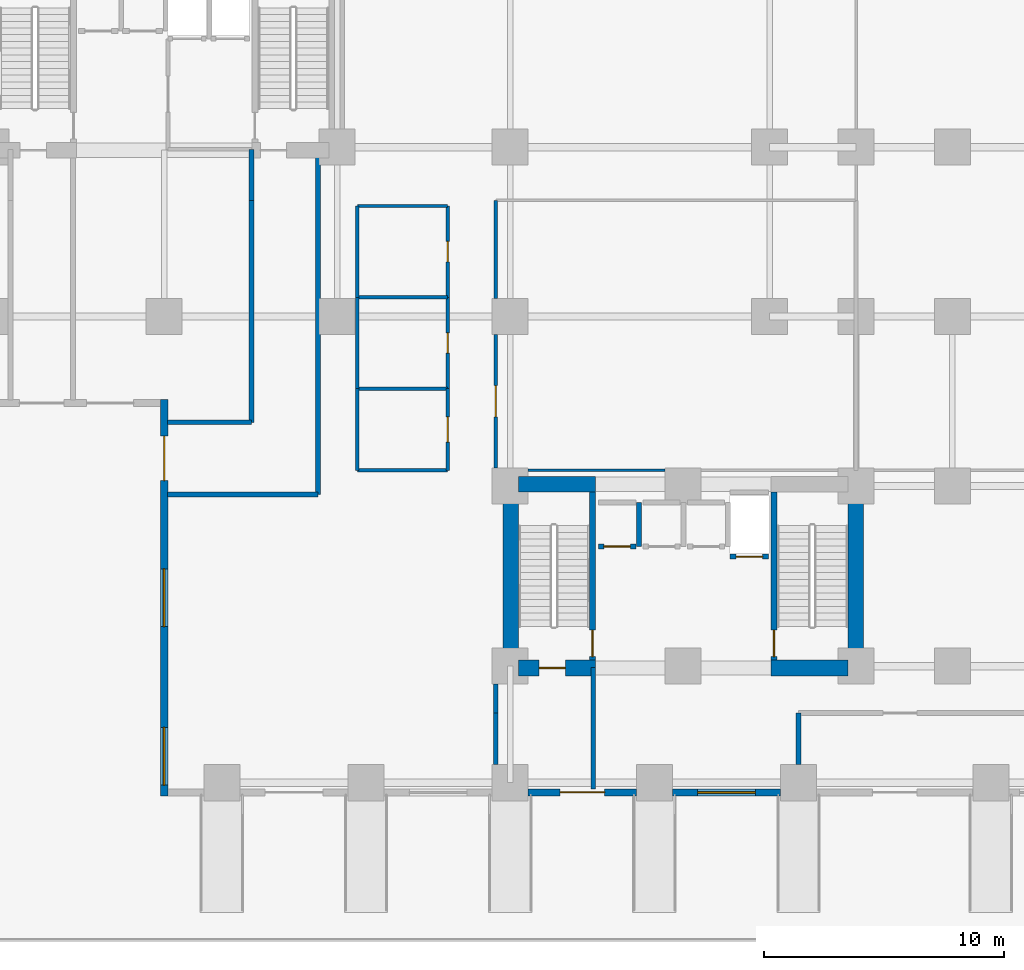
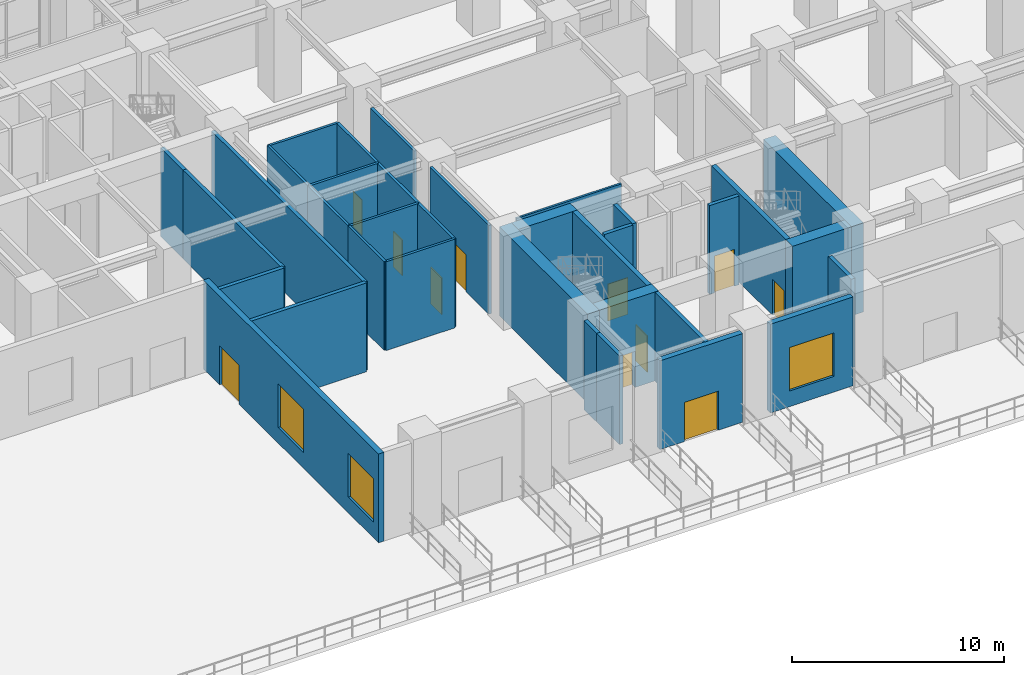
# One storey, part 14 of 22: 35 walls, 11 doors, 3 windows, 14 openings.
"""IFC4 building model written with IfcOpenShell, lengths in metres."""

from ifc_helpers import new_model, si_unit, direction, frame, frame_2d, origin, place, context, subcontext, project, spatial, rectangle, extrude, material, layer, layer_set, type_object, element, fill, save


model = new_model("IFC4")

# Units and contexts
model_context = context("Model", 3, precision=1e-05, world=origin(), true_north=direction((0.0, 1.0)))
body_context = subcontext(model_context, "Body", "Model", "MODEL_VIEW")
ifc_project = project(units=[si_unit("LENGTHUNIT", "METRE"), si_unit("AREAUNIT", "SQUARE_METRE"), si_unit("VOLUMEUNIT", "CUBIC_METRE"), si_unit("PLANEANGLEUNIT", "RADIAN"), si_unit("MASSUNIT", "GRAM", prefix="KILO")], contexts=[model_context])

# Site, building, storey
site_placement = place(None, origin())
site = spatial("IfcSite", under=ifc_project, at=site_placement, CompositionType="ELEMENT")
building_placement = place(site_placement, origin())
building = spatial("IfcBuilding", under=site, at=building_placement, Name="Kaliganga Portal Commons", CompositionType="ELEMENT")
storey_placement = place(building_placement, origin())
storey = spatial("IfcBuildingStorey", under=building, at=storey_placement, Name="L00", CompositionType="ELEMENT", Elevation=0.0)

# Walls
ifc_material_1 = material(Name="Concrete C70/85", Category="concrete")
ifc_layer_1 = layer(ifc_material_1, 0.64990234375)
ifc_layer_set_1 = layer_set([ifc_layer_1], Name="Concrete C70/85")
wall_type_1 = type_object("IfcWallType", Name="WL-CORE-650", PredefinedType="SHEAR", material=ifc_layer_set_1)
for number, where, z_axis, x_axis, name in (
    (1, (36.02490234375, 6.64990234375, 0.0), (0.0, 0.0, 1.0), (0.0, 1.0, 0.0), "Core B West Shear Wall L00"),
    (2, (50.375, 6.64990234375, 0.0), (0.0, 0.0, 1.0), (0.0, 1.0, 0.0), "Core B East Shear Wall L00"),
):
    element("IfcWall", number, at=place(storey_placement, frame(where, z_axis=z_axis, x_axis=x_axis)), inside=storey, type_object=wall_type_1, Name=name, PredefinedType="SHEAR", context=body_context, shape_type="SweptSolid", body=[
        extrude(rectangle(XDim=8.300048828125, YDim=0.64990234375, at=frame_2d((4.14990234375, 0.0))), origin(), (0.0, 0.0, 1.0), 5.1201171875),
    ])

# Wall, opening, door
wall_1_placement = place(storey_placement, frame((36.35009765625, 6.97509765625, 0.0), z_axis=(0.0, 0.0, 1.0), x_axis=(1.0, 0.0, 0.0)))
wall_1 = element("IfcWall", 3, at=wall_1_placement, inside=storey, type_object=wall_type_1, Name="Core B S-West Shear Wall L00", PredefinedType="SHEAR", context=body_context, shape_type="SweptSolid", body=[
    extrude(rectangle(XDim=3.199951171875, YDim=0.64990234375, at=frame_2d((1.60009765625, 0.0))), origin(), (0.0, 0.0, 1.0), 5.1201171875),
])
opening_1_placement = place(wall_1_placement, frame((0.85009765625, 0.0, 0.0)))
opening_1 = element("IfcOpeningElement", 4, at=opening_1_placement, cuts=wall_1, Name="Opening SD-01", PredefinedType="OPENING", context=body_context, shape_type="SweptSolid", body=[
    extrude(rectangle(XDim=1.10009765625, YDim=2.080078125, at=frame_2d((0.550048828125, 1.0400390625))), frame((0.0, 0.3349609375, 0.0), z_axis=(0.0, -1.0, 0.0), x_axis=(1.0, 0.0, 0.0)), (0.0, 0.0, 1.0), 0.669921875),
])
ifc_material_2 = material(Name="Galvanized Steel Fire Door Leaf and Frame", Category="steel")
door_type_1 = type_object("IfcDoorType", Name="DR-STAIR-1100", OperationType="NOTDEFINED", PredefinedType="DOOR", material=ifc_material_2)
door_1_placement = place(opening_1_placement, origin())
door_1 = element("IfcDoor", 5, at=door_1_placement, inside=storey, type_object=door_type_1, Name="Protected Stair ST-B1 Exit Passageway Fire Door L00", OperationType="SINGLE_SWING_LEFT", OverallHeight=2.080078125, OverallWidth=1.10009765625, PredefinedType="DOOR", context=body_context, shape_type="SweptSolid", body=[
    extrude(rectangle(XDim=1.10009765625, YDim=2.080078125, at=frame_2d((0.550048828125, 1.0400390625))), frame((0.0, 0.02490234375, 0.0), z_axis=(0.0, -1.0, 0.0), x_axis=(1.0, 0.0, 0.0)), (0.0, 0.0, 1.0), 0.050048828125),
])
fill(opening_1, door_1)

# Walls
for number, where, z_axis, x_axis, name in (
    (6, (46.85009765625, 6.97509765625, 0.0), (0.0, 0.0, 1.0), (1.0, 0.0, 0.0), "Core B S-East Shear Wall L00"),
    (7, (36.35009765625, 14.625, 0.0), (0.0, 0.0, 1.0), (1.0, 0.0, 0.0), "Core B N-West Shear Wall L00"),
):
    element("IfcWall", number, at=place(storey_placement, frame(where, z_axis=z_axis, x_axis=x_axis)), inside=storey, type_object=wall_type_1, Name=name, PredefinedType="SHEAR", context=body_context, shape_type="SweptSolid", body=[
        extrude(rectangle(XDim=3.199951171875, YDim=0.64990234375, at=frame_2d((1.60009765625, 0.0))), origin(), (0.0, 0.0, 1.0), 5.1201171875),
    ])

# Wall, opening, door
ifc_material_3 = material(Name="Precast concrete C40/50", Category="concrete")
ifc_layer_2 = layer(ifc_material_3, 0.300048828125)
ifc_layer_set_2 = layer_set([ifc_layer_2], Name="Precast concrete C40/50")
wall_type_2 = type_object("IfcWallType", Name="WL-EXT-POD-300", PredefinedType="STANDARD", material=ifc_layer_set_2)
wall_2_placement = place(storey_placement, frame((41.2490234375, 1.800048828125, 0.0), z_axis=(0.0, 0.0, 1.0), x_axis=(-1.0, 0.0, 0.0)))
wall_2 = element("IfcWall", 8, at=wall_2_placement, inside=storey, type_object=wall_type_2, Name="Exterior Envelope Wall L00 P1-E00-S4", PredefinedType="STANDARD", context=body_context, shape_type="SweptSolid", body=[
    extrude(rectangle(XDim=4.498046875, YDim=0.300048828125, at=frame_2d((2.2490234375, 0.0))), origin(), (0.0, 0.0, 1.0), 5.10009765625),
])
opening_2_placement = place(wall_2_placement, frame((1.323974609375, 0.0, 0.0)))
opening_2 = element("IfcOpeningElement", 9, at=opening_2_placement, cuts=wall_2, Name="Opening XD-01", PredefinedType="OPENING", context=body_context, shape_type="SweptSolid", body=[
    extrude(rectangle(XDim=1.85009765625, YDim=2.25, at=frame_2d((0.925048828125, 1.125))), frame((0.0, 0.16015625, 0.0), z_axis=(0.0, -1.0, 0.0), x_axis=(1.0, 0.0, 0.0)), (0.0, 0.0, 1.0), 0.320068359375),
])
ifc_material_4 = material(Name="Anodized Aluminium and Laminated Safety Glass", Category="aluminium")
door_type_2 = type_object("IfcDoorType", Name="DR-EXIT-1850", OperationType="DOUBLE_DOOR_SINGLE_SWING", PredefinedType="DOOR", material=ifc_material_4)
door_2_placement = place(opening_2_placement, origin())
door_2 = element("IfcDoor", 10, at=door_2_placement, inside=storey, type_object=door_type_2, Name="South Canal Exit Discharge Door XD-B", OperationType="DOUBLE_DOOR_SINGLE_SWING", OverallHeight=2.25, OverallWidth=1.85009765625, PredefinedType="DOOR", context=body_context, shape_type="SweptSolid", body=[
    extrude(rectangle(XDim=1.85009765625, YDim=2.25, at=frame_2d((0.925048828125, 1.125))), frame((0.0, 0.02490234375, 0.0), z_axis=(0.0, -1.0, 0.0), x_axis=(1.0, 0.0, 0.0)), (0.0, 0.0, 1.0), 0.050048828125),
])
fill(opening_2, door_2)

# Wall, opening, window
wall_3_placement = place(storey_placement, frame((47.2490234375, 1.800048828125, 0.0), z_axis=(0.0, 0.0, 1.0), x_axis=(-1.0, 0.0, 0.0)))
wall_3 = element("IfcWall", 11, at=wall_3_placement, inside=storey, type_object=wall_type_2, Name="Exterior Envelope Wall L00 P1-E00-S5", PredefinedType="STANDARD", context=body_context, shape_type="SweptSolid", body=[
    extrude(rectangle(XDim=4.498046875, YDim=0.300048828125, at=frame_2d((2.2490234375, 0.0))), origin(), (0.0, 0.0, 1.0), 5.10009765625),
])
opening_3_placement = place(wall_3_placement, frame((1.049072265625, 0.0, 0.89990234375)))
opening_3 = element("IfcOpeningElement", 12, at=opening_3_placement, cuts=wall_3, Name="Opening W-05", PredefinedType="OPENING", context=body_context, shape_type="SweptSolid", body=[
    extrude(rectangle(XDim=2.39990234375, YDim=2.5, at=frame_2d((1.199951171875, 1.25))), frame((0.0, 0.16015625, 0.0), z_axis=(0.0, -1.0, 0.0), x_axis=(1.0, 0.0, 0.0)), (0.0, 0.0, 1.0), 0.320068359375),
])
ifc_material_5 = material(Name="Thermally Broken Aluminium and Low-E Double Glazing", Category="aluminium")
window_type = type_object("IfcWindowType", Name="WIN-POD-2400", PartitioningType="TRIPLE_PANEL_VERTICAL", PredefinedType="WINDOW", material=ifc_material_5)
window_1_placement = place(opening_3_placement, origin())
window_1 = element("IfcWindow", 13, at=window_1_placement, inside=storey, type_object=window_type, Name="Facade Window L00-P1E00S5-00", OverallHeight=2.5, OverallWidth=2.39990234375, PartitioningType="SINGLE_PANEL", PredefinedType="WINDOW", context=body_context, shape_type="SweptSolid", body=[
    extrude(rectangle(XDim=2.39990234375, YDim=2.5, at=frame_2d((1.199951171875, 1.25))), frame((0.0, 0.030029296875, 0.0), z_axis=(0.0, -1.0, 0.0), x_axis=(1.0, 0.0, 0.0)), (0.0, 0.0, 1.0), 0.06005859375),
])
fill(opening_3, window_1)

# Wall, openings, door, windows
wall_4_placement = place(storey_placement, frame((21.60009765625, 1.64990234375, 0.0), z_axis=(0.0, 0.0, 1.0), x_axis=(0.0, 1.0, 0.0)))
wall_4 = element("IfcWall", 14, at=wall_4_placement, inside=storey, type_object=wall_type_2, Name="Exterior Envelope Wall L00 P1-E05-S1", PredefinedType="STANDARD", context=body_context, shape_type="SweptSolid", body=[
    extrude(rectangle(XDim=16.5, YDim=0.300048828125, at=frame_2d((8.25, 0.0))), origin(), (0.0, 0.0, 1.0), 5.10009765625),
])
opening_4_placement = place(wall_4_placement, frame((13.125, 0.0, 0.0)))
opening_4 = element("IfcOpeningElement", 15, at=opening_4_placement, cuts=wall_4, Name="Opening XD-01", PredefinedType="OPENING", context=body_context, shape_type="SweptSolid", body=[
    extrude(rectangle(XDim=1.85009765625, YDim=2.25, at=frame_2d((0.925048828125, 1.125))), frame((0.0, 0.16015625, 0.0), z_axis=(0.0, -1.0, 0.0), x_axis=(1.0, 0.0, 0.0)), (0.0, 0.0, 1.0), 0.320068359375),
])
opening_5_placement = place(wall_4_placement, frame((0.449951171875, 0.0, 0.89990234375)))
opening_5 = element("IfcOpeningElement", 16, at=opening_5_placement, cuts=wall_4, Name="Opening W-05", PredefinedType="OPENING", context=body_context, shape_type="SweptSolid", body=[
    extrude(rectangle(XDim=2.39990234375, YDim=2.5, at=frame_2d((1.199951171875, 1.25))), frame((0.0, 0.16015625, 0.0), z_axis=(0.0, -1.0, 0.0), x_axis=(1.0, 0.0, 0.0)), (0.0, 0.0, 1.0), 0.320068359375),
])
opening_6_placement = place(wall_4_placement, frame((7.050048828125, 0.0, 0.89990234375)))
opening_6 = element("IfcOpeningElement", 17, at=opening_6_placement, cuts=wall_4, Name="Opening W-05", PredefinedType="OPENING", context=body_context, shape_type="SweptSolid", body=[
    extrude(rectangle(XDim=2.39990234375, YDim=2.5, at=frame_2d((1.199951171875, 1.25))), frame((0.0, 0.16015625, 0.0), z_axis=(0.0, -1.0, 0.0), x_axis=(1.0, 0.0, 0.0)), (0.0, 0.0, 1.0), 0.320068359375),
])
door_3_placement = place(opening_4_placement, origin())
door_3 = element("IfcDoor", 18, at=door_3_placement, inside=storey, type_object=door_type_2, Name="Final Exit Discharge Door XD-A2", OperationType="DOUBLE_DOOR_SINGLE_SWING", OverallHeight=2.25, OverallWidth=1.85009765625, PredefinedType="DOOR", context=body_context, shape_type="SweptSolid", body=[
    extrude(rectangle(XDim=1.85009765625, YDim=2.25, at=frame_2d((0.925048828125, 1.125))), frame((0.0, 0.02490234375, 0.0), z_axis=(0.0, -1.0, 0.0), x_axis=(1.0, 0.0, 0.0)), (0.0, 0.0, 1.0), 0.050048828125),
])
fill(opening_4, door_3)
window_2_placement = place(opening_5_placement, origin())
window_2 = element("IfcWindow", 19, at=window_2_placement, inside=storey, type_object=window_type, Name="Facade Window L00-P1E05S1-00", OverallHeight=2.5, OverallWidth=2.39990234375, PartitioningType="SINGLE_PANEL", PredefinedType="WINDOW", context=body_context, shape_type="SweptSolid", body=[
    extrude(rectangle(XDim=2.39990234375, YDim=2.5, at=frame_2d((1.199951171875, 1.25))), frame((0.0, 0.030029296875, 0.0), z_axis=(0.0, -1.0, 0.0), x_axis=(1.0, 0.0, 0.0)), (0.0, 0.0, 1.0), 0.06005859375),
])
fill(opening_5, window_2)
window_3_placement = place(opening_6_placement, origin())
window_3 = element("IfcWindow", 20, at=window_3_placement, inside=storey, type_object=window_type, Name="Facade Window L00-P1E05S1-02", OverallHeight=2.5, OverallWidth=2.39990234375, PartitioningType="SINGLE_PANEL", PredefinedType="WINDOW", context=body_context, shape_type="SweptSolid", body=[
    extrude(rectangle(XDim=2.39990234375, YDim=2.5, at=frame_2d((1.199951171875, 1.25))), frame((0.0, 0.030029296875, 0.0), z_axis=(0.0, -1.0, 0.0), x_axis=(1.0, 0.0, 0.0)), (0.0, 0.0, 1.0), 0.06005859375),
])
fill(opening_6, window_3)

# Wall, opening, door
ifc_material_6 = material(Name="Fire-Rated Gypsum Board on Steel Stud", Category="steel")
ifc_layer_3 = layer(ifc_material_6, 0.14990234375)
ifc_layer_set_3 = layer_set([ifc_layer_3], Name="Fire-Rated Gypsum Board on Steel Stud")
wall_type_3 = type_object("IfcWallType", Name="WL-PART-CORR-150", PredefinedType="PARTITIONING", material=ifc_layer_set_3)
wall_5_placement = place(storey_placement, frame((35.39990234375, 15.300048828125, 0.0), z_axis=(0.0, 0.0, 1.0), x_axis=(0.0, 1.0, 0.0)))
wall_5 = element("IfcWall", 21, at=wall_5_placement, inside=storey, type_object=wall_type_3, Name="Interior Partition L00-030", PredefinedType="PARTITIONING", context=body_context, shape_type="SweptSolid", body=[
    extrude(rectangle(XDim=5.550048828125, YDim=0.14990234375, at=frame_2d((2.77490234375, 0.0))), origin(), (0.0, 0.0, 1.0), 5.10009765625),
])
opening_7_placement = place(wall_5_placement, frame((2.125, 0.0, 0.0)))
opening_7 = element("IfcOpeningElement", 22, at=opening_7_placement, cuts=wall_5, Name="Opening RD-03", PredefinedType="OPENING", context=body_context, shape_type="SweptSolid", body=[
    extrude(rectangle(XDim=1.300048828125, YDim=2.1201171875, at=frame_2d((0.64990234375, 1.06005859375))), frame((0.0, 0.0849609375, 0.0), z_axis=(0.0, -1.0, 0.0), x_axis=(1.0, 0.0, 0.0)), (0.0, 0.0, 1.0), 0.169921875),
])
ifc_material_7 = material(Name="Glazed Timber Seminar Vision Door", Category="wood")
door_type_3 = type_object("IfcDoorType", Name="DR-STUDY-1300", OperationType="DOUBLE_DOOR_SINGLE_SWING", PredefinedType="DOOR", material=ifc_material_7)
door_4_placement = place(opening_7_placement, origin())
door_4 = element("IfcDoor", 23, at=door_4_placement, inside=storey, type_object=door_type_3, Name="Interior Door L00-MAIL", OperationType="DOUBLE_DOOR_SINGLE_SWING", OverallHeight=2.1201171875, OverallWidth=1.300048828125, PredefinedType="DOOR", context=body_context, shape_type="SweptSolid", body=[
    extrude(rectangle(XDim=1.300048828125, YDim=2.1201171875, at=frame_2d((0.64990234375, 1.06005859375))), frame((0.0, 0.02490234375, 0.0), z_axis=(0.0, -1.0, 0.0), x_axis=(1.0, 0.0, 0.0)), (0.0, 0.0, 1.0), 0.050048828125),
])
fill(opening_7, door_4)

# Wall
wall_6_placement = place(storey_placement, frame((35.39990234375, 22.35009765625, 0.0), z_axis=(0.0, 0.0, 1.0), x_axis=(0.0, 1.0, 0.0)))
element("IfcWall", 24, at=wall_6_placement, inside=storey, type_object=wall_type_3, Name="Interior Partition L00-031", PredefinedType="PARTITIONING", context=body_context, shape_type="SweptSolid", body=[
    extrude(rectangle(XDim=4.08984375, YDim=0.14990234375, at=frame_2d((2.044921875, 0.0))), origin(), (0.0, 0.0, 1.0), 5.10009765625),
])

# Wall, opening, door
wall_7_placement = place(storey_placement, frame((33.39990234375, 22.39990234375, 0.0), z_axis=(0.0, 0.0, 1.0), x_axis=(0.0, 1.0, 0.0)))
wall_7 = element("IfcWall", 25, at=wall_7_placement, inside=storey, type_object=wall_type_3, Name="Interior Partition L00-033", PredefinedType="PARTITIONING", context=body_context, shape_type="SweptSolid", body=[
    extrude(rectangle(XDim=3.800048828125, YDim=0.14990234375, at=frame_2d((1.89990234375, 0.0))), origin(), (0.0, 0.0, 1.0), 5.10009765625),
])
opening_8_placement = place(wall_7_placement, frame((1.47509765625, 0.0, 0.0)))
opening_8 = element("IfcOpeningElement", 26, at=opening_8_placement, cuts=wall_7, Name="Opening WD-01", PredefinedType="OPENING", context=body_context, shape_type="SweptSolid", body=[
    extrude(rectangle(XDim=0.85009765625, YDim=2.0400390625, at=frame_2d((0.425048828125, 1.02001953125))), frame((0.0, 0.0849609375, 0.0), z_axis=(0.0, -1.0, 0.0), x_axis=(1.0, 0.0, 0.0)), (0.0, 0.0, 1.0), 0.169921875),
])
ifc_material_8 = material(Name="Moisture-Resistant Laminate Timber Door", Category="wood")
door_type_4 = type_object("IfcDoorType", Name="DR-WET-850", OperationType="NOTDEFINED", PredefinedType="DOOR", material=ifc_material_8)
door_5_placement = place(opening_8_placement, origin())
door_5 = element("IfcDoor", 27, at=door_5_placement, inside=storey, type_object=door_type_4, Name="Interior Door L00-WC_M", OperationType="SINGLE_SWING_LEFT", OverallHeight=2.0400390625, OverallWidth=0.85009765625, PredefinedType="DOOR", context=body_context, shape_type="SweptSolid", body=[
    extrude(rectangle(XDim=0.85009765625, YDim=2.0400390625, at=frame_2d((0.425048828125, 1.02001953125))), frame((0.0, 0.02490234375, 0.0), z_axis=(0.0, -1.0, 0.0), x_axis=(1.0, 0.0, 0.0)), (0.0, 0.0, 1.0), 0.050048828125),
])
fill(opening_8, door_5)

wall_8_placement = place(storey_placement, frame((33.39990234375, 18.60009765625, 0.0), z_axis=(0.0, 0.0, 1.0), x_axis=(0.0, 1.0, 0.0)))
wall_8 = element("IfcWall", 28, at=wall_8_placement, inside=storey, type_object=wall_type_3, Name="Interior Partition L00-034", PredefinedType="PARTITIONING", context=body_context, shape_type="SweptSolid", body=[
    extrude(rectangle(XDim=3.7998046875, YDim=0.14990234375, at=frame_2d((1.89990234375, 0.0))), origin(), (0.0, 0.0, 1.0), 5.10009765625),
])
opening_9_placement = place(wall_8_placement, frame((1.47509765625, 0.0, 0.0)))
opening_9 = element("IfcOpeningElement", 29, at=opening_9_placement, cuts=wall_8, Name="Opening WD-01", PredefinedType="OPENING", context=body_context, shape_type="SweptSolid", body=[
    extrude(rectangle(XDim=0.85009765625, YDim=2.0400390625, at=frame_2d((0.425048828125, 1.02001953125))), frame((0.0, 0.0849609375, 0.0), z_axis=(0.0, -1.0, 0.0), x_axis=(1.0, 0.0, 0.0)), (0.0, 0.0, 1.0), 0.169921875),
])
door_6_placement = place(opening_9_placement, origin())
door_6 = element("IfcDoor", 30, at=door_6_placement, inside=storey, type_object=door_type_4, Name="Interior Door L00-WC_F", OperationType="SINGLE_SWING_RIGHT", OverallHeight=2.0400390625, OverallWidth=0.85009765625, PredefinedType="DOOR", context=body_context, shape_type="SweptSolid", body=[
    extrude(rectangle(XDim=0.85009765625, YDim=2.0400390625, at=frame_2d((0.425048828125, 1.02001953125))), frame((0.0, 0.02490234375, 0.0), z_axis=(0.0, -1.0, 0.0), x_axis=(1.0, 0.0, 0.0)), (0.0, 0.0, 1.0), 0.050048828125),
])
fill(opening_9, door_6)

wall_9_placement = place(storey_placement, frame((33.39990234375, 15.199951171875, 0.0), z_axis=(0.0, 0.0, 1.0), x_axis=(0.0, 1.0, 0.0)))
wall_9 = element("IfcWall", 31, at=wall_9_placement, inside=storey, type_object=wall_type_3, Name="Interior Partition L00-035", PredefinedType="PARTITIONING", context=body_context, shape_type="SweptSolid", body=[
    extrude(rectangle(XDim=3.400146484375, YDim=0.14990234375, at=frame_2d((1.7001953125, 0.0))), origin(), (0.0, 0.0, 1.0), 5.10009765625),
])
opening_10_placement = place(wall_9_placement, frame((1.175048828125, 0.0, 0.0)))
opening_10 = element("IfcOpeningElement", 32, at=opening_10_placement, cuts=wall_9, Name="Opening UD-02", PredefinedType="OPENING", context=body_context, shape_type="SweptSolid", body=[
    extrude(rectangle(XDim=1.050048828125, YDim=2.1201171875, at=frame_2d((0.52490234375, 1.06005859375))), frame((0.0, 0.0849609375, 0.0), z_axis=(0.0, -1.0, 0.0), x_axis=(1.0, 0.0, 0.0)), (0.0, 0.0, 1.0), 0.169921875),
])
ifc_material_9 = material(Name="Accessible Wide-Leaf Acoustic Fire Door", Category="wood")
door_type_5 = type_object("IfcDoorType", Name="DR-ACC-1050", OperationType="NOTDEFINED", PredefinedType="DOOR", material=ifc_material_9)
door_7_placement = place(opening_10_placement, origin())
door_7 = element("IfcDoor", 33, at=door_7_placement, inside=storey, type_object=door_type_5, Name="Interior Door L00-WC_ACC", OperationType="SINGLE_SWING_LEFT", OverallHeight=2.1201171875, OverallWidth=1.050048828125, PredefinedType="DOOR", context=body_context, shape_type="SweptSolid", body=[
    extrude(rectangle(XDim=1.050048828125, YDim=2.1201171875, at=frame_2d((0.52490234375, 1.06005859375))), frame((0.0, 0.02490234375, 0.0), z_axis=(0.0, -1.0, 0.0), x_axis=(1.0, 0.0, 0.0)), (0.0, 0.0, 1.0), 0.050048828125),
])
fill(opening_10, door_7)

# Walls
ifc_material_10 = material(Name="Lightweight blockwork masonry", Category="masonry")
ifc_layer_4 = layer(ifc_material_10, 0.215087890625)
ifc_layer_set_4 = layer_set([ifc_layer_4], Name="Lightweight blockwork masonry")
wall_type_4 = type_object("IfcWallType", Name="WL-PART-PLANT-215", PredefinedType="PARTITIONING", material=ifc_layer_set_4)
wall_10_placement = place(storey_placement, frame((48.0, 2.949951171875, 0.0), z_axis=(0.0, 0.0, 1.0), x_axis=(0.0, 1.0, 0.0)))
element("IfcWall", 34, at=wall_10_placement, inside=storey, type_object=wall_type_4, Name="Interior Partition L00-036", PredefinedType="PARTITIONING", context=body_context, shape_type="SweptSolid", body=[
    extrude(rectangle(XDim=2.150146484375, YDim=0.215087890625, at=frame_2d((1.0751953125, 0.0))), origin(), (0.0, 0.0, 1.0), 5.10009765625),
])
ifc_material_11 = material(Name="Moisture-Resistant Gypsum Partition", Category="gypsum")
ifc_layer_5 = layer(ifc_material_11, 0.114990234375)
ifc_layer_set_5 = layer_set([ifc_layer_5], Name="Moisture-Resistant Gypsum Partition")
wall_type_5 = type_object("IfcWallType", Name="WL-PART-ROOM-115", PredefinedType="PARTITIONING", material=ifc_layer_set_5)
wall_11_placement = place(storey_placement, frame((36.75, 15.199951171875, 0.0), z_axis=(0.0, 0.0, 1.0), x_axis=(1.0, 0.0, 0.0)))
element("IfcWall", 35, at=wall_11_placement, inside=storey, type_object=wall_type_5, Name="Interior Partition L00-041", PredefinedType="PARTITIONING", context=body_context, shape_type="SweptSolid", body=[
    extrude(rectangle(XDim=5.699951171875, YDim=0.114990234375, at=frame_2d((2.85009765625, 0.0))), origin(), (0.0, 0.0, 1.0), 5.10009765625),
])
ifc_material_12 = material(Name="Cement-Board Wet-Room Partition", Category="gypsum")
ifc_layer_6 = layer(ifc_material_12, 0.135009765625)
ifc_layer_set_6 = layer_set([ifc_layer_6], Name="Cement-Board Wet-Room Partition")
wall_type_6 = type_object("IfcWallType", Name="WL-PART-WET-135", PredefinedType="PARTITIONING", material=ifc_layer_set_6)
wall_12_placement = place(storey_placement, frame((29.639892578125, 22.39990234375, 0.0), z_axis=(0.0, 0.0, 1.0), x_axis=(0.0, 1.0, 0.0)))
element("IfcWall", 36, at=wall_12_placement, inside=storey, type_object=wall_type_6, Name="Interior Partition L00-051", PredefinedType="PARTITIONING", context=body_context, shape_type="SweptSolid", body=[
    extrude(rectangle(XDim=3.800048828125, YDim=0.135009765625, at=frame_2d((1.89990234375, 0.0))), origin(), (0.0, 0.0, 1.0), 5.10009765625),
])
wall_13_placement = place(storey_placement, frame((29.639892578125, 18.60009765625, 0.0), z_axis=(0.0, 0.0, 1.0), x_axis=(0.0, 1.0, 0.0)))
element("IfcWall", 37, at=wall_13_placement, inside=storey, type_object=wall_type_6, Name="Interior Partition L00-052", PredefinedType="PARTITIONING", context=body_context, shape_type="SweptSolid", body=[
    extrude(rectangle(XDim=3.7998046875, YDim=0.135009765625, at=frame_2d((1.89990234375, 0.0))), origin(), (0.0, 0.0, 1.0), 5.10009765625),
])
for number, where, z_axis, x_axis, name in (
    (38, (29.639892578125, 15.199951171875, 0.0), (0.0, 0.0, 1.0), (1.0, 0.0, 0.0), "Interior Partition L00-053"),
    (39, (29.639892578125, 18.60009765625, 0.0), (0.0, 0.0, 1.0), (1.0, 0.0, 0.0), "Interior Partition L00-054"),
    (40, (29.639892578125, 22.39990234375, 0.0), (0.0, 0.0, 1.0), (1.0, 0.0, 0.0), "Interior Partition L00-055"),
    (41, (29.639892578125, 26.199951171875, 0.0), (0.0, 0.0, 1.0), (1.0, 0.0, 0.0), "Interior Partition L00-056"),
):
    element("IfcWall", number, at=place(storey_placement, frame(where, z_axis=z_axis, x_axis=x_axis)), inside=storey, type_object=wall_type_6, Name=name, PredefinedType="PARTITIONING", context=body_context, shape_type="SweptSolid", body=[
        extrude(rectangle(XDim=3.760009765625, YDim=0.135009765625, at=frame_2d((1.8798828125, 0.0))), origin(), (0.0, 0.0, 1.0), 5.10009765625),
    ])
wall_14_placement = place(storey_placement, frame((29.639892578125, 15.199951171875, 0.0), z_axis=(0.0, 0.0, 1.0), x_axis=(0.0, 1.0, 0.0)))
element("IfcWall", 42, at=wall_14_placement, inside=storey, type_object=wall_type_6, Name="Interior Partition L00-058", PredefinedType="PARTITIONING", context=body_context, shape_type="SweptSolid", body=[
    extrude(rectangle(XDim=3.400146484375, YDim=0.135009765625, at=frame_2d((1.7001953125, 0.0))), origin(), (0.0, 0.0, 1.0), 5.10009765625),
])

# Wall, opening, door
ifc_material_13 = material(Name="Fire-Rated Shaftwall Masonry Assembly", Category="masonry")
ifc_layer_7 = layer(ifc_material_13, 0.199951171875)
ifc_layer_set_7 = layer_set([ifc_layer_7], Name="Fire-Rated Shaftwall Masonry Assembly")
wall_type_7 = type_object("IfcWallType", Name="WL-SHAFT-200", PredefinedType="PARTITIONING", material=ifc_layer_set_7)
wall_15_placement = place(storey_placement, frame((39.675048828125, 12.034912109375, 0.0), z_axis=(0.0, 0.0, 1.0), x_axis=(1.0, 0.0, 0.0)))
wall_15 = element("IfcWall", 43, at=wall_15_placement, inside=storey, type_object=wall_type_7, Name="Lift PL-B1 Hoistway Shaft Wall L00-S", PredefinedType="PARTITIONING", context=body_context, shape_type="SweptSolid", body=[
    extrude(rectangle(XDim=1.550048828125, YDim=0.199951171875, at=frame_2d((0.77490234375, 0.0))), origin(), (0.0, 0.0, 1.0), 5.10009765625),
])
opening_11_placement = place(wall_15_placement, frame((0.22509765625, 0.0, 0.0)))
opening_11 = element("IfcOpeningElement", 44, at=opening_11_placement, cuts=wall_15, Name="Opening LD-01", PredefinedType="OPENING", context=body_context, shape_type="SweptSolid", body=[
    extrude(rectangle(XDim=1.10009765625, YDim=2.1201171875, at=frame_2d((0.550048828125, 1.06005859375))), frame((0.0, 0.10986328125, 0.0), z_axis=(0.0, -1.0, 0.0), x_axis=(1.0, 0.0, 0.0)), (0.0, 0.0, 1.0), 0.219970703125),
])
ifc_material_14 = material(Name="Brushed Stainless Steel 316 Lift Landing Door", Category="steel")
door_type_6 = type_object("IfcDoorType", Name="DR-LIFT-1100", OperationType="SLIDING_TO_LEFT", PredefinedType="DOOR", material=ifc_material_14)
door_8_placement = place(opening_11_placement, origin())
door_8 = element("IfcDoor", 45, at=door_8_placement, inside=storey, type_object=door_type_6, Name="Lift PL-B1 Sliding Landing Door L00", OperationType="SLIDING_TO_LEFT", OverallHeight=2.1201171875, OverallWidth=1.10009765625, PredefinedType="DOOR", context=body_context, shape_type="SweptSolid", body=[
    extrude(rectangle(XDim=1.10009765625, YDim=2.1201171875, at=frame_2d((0.550048828125, 1.06005859375))), frame((0.0, 0.02490234375, 0.0), z_axis=(0.0, -1.0, 0.0), x_axis=(1.0, 0.0, 0.0)), (0.0, 0.0, 1.0), 0.050048828125),
])
fill(opening_11, door_8)

# Wall
wall_16_placement = place(storey_placement, frame((41.364990234375, 12.034912109375, 0.0), z_axis=(0.0, 0.0, 1.0), x_axis=(0.0, 1.0, 0.0)))
element("IfcWall", 46, at=wall_16_placement, inside=storey, type_object=wall_type_7, Name="Lift PL-B1 Hoistway Shaft Wall L00-E", PredefinedType="PARTITIONING", context=body_context, shape_type="SweptSolid", body=[
    extrude(rectangle(XDim=1.830078125, YDim=0.199951171875, at=frame_2d((0.9150390625, 0.0))), origin(), (0.0, 0.0, 1.0), 5.10009765625),
])

# Wall, opening, door
wall_17_placement = place(storey_placement, frame((45.14990234375, 11.610107421875, 0.0), z_axis=(0.0, 0.0, 1.0), x_axis=(1.0, 0.0, 0.0)))
wall_17 = element("IfcWall", 47, at=wall_17_placement, inside=storey, type_object=wall_type_7, Name="Lift SL-B1 Hoistway Shaft Wall L00-S", PredefinedType="PARTITIONING", context=body_context, shape_type="SweptSolid", body=[
    extrude(rectangle(XDim=1.60009765625, YDim=0.199951171875, at=frame_2d((0.800048828125, 0.0))), origin(), (0.0, 0.0, 1.0), 5.10009765625),
])
opening_12_placement = place(wall_17_placement, frame((0.25, 0.0, 0.0)))
opening_12 = element("IfcOpeningElement", 48, at=opening_12_placement, cuts=wall_17, Name="Opening LD-01", PredefinedType="OPENING", context=body_context, shape_type="SweptSolid", body=[
    extrude(rectangle(XDim=1.10009765625, YDim=2.1201171875, at=frame_2d((0.550048828125, 1.06005859375))), frame((0.0, 0.10986328125, 0.0), z_axis=(0.0, -1.0, 0.0), x_axis=(1.0, 0.0, 0.0)), (0.0, 0.0, 1.0), 0.219970703125),
])
door_9_placement = place(opening_12_placement, origin())
door_9 = element("IfcDoor", 49, at=door_9_placement, inside=storey, type_object=door_type_6, Name="Lift SL-B1 Sliding Landing Door L00", OperationType="SLIDING_TO_LEFT", OverallHeight=2.1201171875, OverallWidth=1.10009765625, PredefinedType="DOOR", context=body_context, shape_type="SweptSolid", body=[
    extrude(rectangle(XDim=1.10009765625, YDim=2.1201171875, at=frame_2d((0.550048828125, 1.06005859375))), frame((0.0, 0.02490234375, 0.0), z_axis=(0.0, -1.0, 0.0), x_axis=(1.0, 0.0, 0.0)), (0.0, 0.0, 1.0), 0.050048828125),
])
fill(opening_12, door_9)

# Walls
wall_18_placement = place(storey_placement, frame((28.0, 14.199951171875, 0.0), z_axis=(0.0, 0.0, 1.0), x_axis=(0.0, 1.0, 0.0)))
element("IfcWall", 50, at=wall_18_placement, inside=storey, type_object=wall_type_7, Name="Interior Partition L00-001", PredefinedType="PARTITIONING", context=body_context, shape_type="SweptSolid", body=[
    extrude(rectangle(XDim=14.360107421875, YDim=0.199951171875, at=frame_2d((7.18017578125, 0.0))), origin(), (0.0, 0.0, 1.0), 5.10009765625),
])
wall_19_placement = place(storey_placement, frame((25.239990234375, 17.199951171875, 0.0), z_axis=(0.0, 0.0, 1.0), x_axis=(0.0, 1.0, 0.0)))
element("IfcWall", 51, at=wall_19_placement, inside=storey, type_object=wall_type_7, Name="Interior Partition L00-003", PredefinedType="PARTITIONING", context=body_context, shape_type="SweptSolid", body=[
    extrude(rectangle(XDim=9.239990234375, YDim=0.199951171875, at=frame_2d((4.6201171875, 0.0))), origin(), (0.0, 0.0, 1.0), 5.10009765625),
])
wall_20_placement = place(storey_placement, frame((21.73193359375, 14.199951171875, 0.0), z_axis=(0.0, 0.0, 1.0), x_axis=(1.0, 0.0, 0.0)))
element("IfcWall", 52, at=wall_20_placement, inside=storey, type_object=wall_type_7, Name="Interior Partition L00-005", PredefinedType="PARTITIONING", context=body_context, shape_type="SweptSolid", body=[
    extrude(rectangle(XDim=6.26806640625, YDim=0.199951171875, at=frame_2d((3.134033203125, 0.0))), origin(), (0.0, 0.0, 1.0), 5.10009765625),
])
wall_21_placement = place(storey_placement, frame((39.4599609375, 1.931884765625, 0.0), z_axis=(0.0, 0.0, 1.0), x_axis=(0.0, 1.0, 0.0)))
element("IfcWall", 53, at=wall_21_placement, inside=storey, type_object=wall_type_7, Name="Interior Partition L00-006", PredefinedType="PARTITIONING", context=body_context, shape_type="SweptSolid", body=[
    extrude(rectangle(XDim=5.068115234375, YDim=0.199951171875, at=frame_2d((2.5341796875, 0.0))), origin(), (0.0, 0.0, 1.0), 5.10009765625),
])
wall_22_placement = place(storey_placement, frame((21.73193359375, 17.199951171875, 0.0), z_axis=(0.0, 0.0, 1.0), x_axis=(1.0, 0.0, 0.0)))
element("IfcWall", 54, at=wall_22_placement, inside=storey, type_object=wall_type_7, Name="Interior Partition L00-007", PredefinedType="PARTITIONING", context=body_context, shape_type="SweptSolid", body=[
    extrude(rectangle(XDim=3.508056640625, YDim=0.199951171875, at=frame_2d((1.75390625, 0.0))), origin(), (0.0, 0.0, 1.0), 5.10009765625),
])
wall_23_placement = place(storey_placement, frame((35.39990234375, 2.949951171875, 0.0), z_axis=(0.0, 0.0, 1.0), x_axis=(0.0, 1.0, 0.0)))
element("IfcWall", 55, at=wall_23_placement, inside=storey, type_object=wall_type_7, Name="Interior Partition L00-008", PredefinedType="PARTITIONING", context=body_context, shape_type="SweptSolid", body=[
    extrude(rectangle(XDim=2.150146484375, YDim=0.199951171875, at=frame_2d((1.0751953125, 0.0))), origin(), (0.0, 0.0, 1.0), 5.10009765625),
])
wall_24_placement = place(storey_placement, frame((25.239990234375, 26.43994140625, 0.0), z_axis=(0.0, 0.0, 1.0), x_axis=(0.0, 1.0, 0.0)))
element("IfcWall", 56, at=wall_24_placement, inside=storey, type_object=wall_type_7, Name="Interior Partition L00-010", PredefinedType="PARTITIONING", context=body_context, shape_type="SweptSolid", body=[
    extrude(rectangle(XDim=2.1201171875, YDim=0.199951171875, at=frame_2d((1.06005859375, 0.0))), origin(), (0.0, 0.0, 1.0), 5.10009765625),
])
wall_25_placement = place(storey_placement, frame((35.39990234375, 5.10009765625, 0.0), z_axis=(0.0, 0.0, 1.0), x_axis=(0.0, 1.0, 0.0)))
element("IfcWall", 57, at=wall_25_placement, inside=storey, type_object=wall_type_7, Name="Interior Partition L00-011", PredefinedType="PARTITIONING", context=body_context, shape_type="SweptSolid", body=[
    extrude(rectangle(XDim=1.199951171875, YDim=0.199951171875, at=frame_2d((0.60009765625, 0.0))), origin(), (0.0, 0.0, 1.0), 5.10009765625),
])

# Wall, opening, door
ifc_material_15 = material(Name="Concrete C50/60", Category="concrete")
ifc_layer_8 = layer(ifc_material_15, 0.25)
ifc_layer_set_8 = layer_set([ifc_layer_8], Name="Concrete C50/60")
wall_type_8 = type_object("IfcWallType", Name="WL-STAIR-250", PredefinedType="SHEAR", material=ifc_layer_set_8)
wall_26_placement = place(storey_placement, frame((39.425048828125, 7.300048828125, 0.0), z_axis=(0.0, 0.0, 1.0), x_axis=(0.0, 1.0, 0.0)))
wall_26 = element("IfcWall", 58, at=wall_26_placement, inside=storey, type_object=wall_type_8, Name="Stair B1 Enclosure Shear Wall L00", PredefinedType="SHEAR", context=body_context, shape_type="SweptSolid", body=[
    extrude(rectangle(XDim=7.0, YDim=0.25, at=frame_2d((3.5, 0.0))), origin(), (0.0, 0.0, 1.0), 5.1201171875),
])
opening_13_placement = place(wall_26_placement, frame((0.14990234375, 0.0, 0.0)))
opening_13 = element("IfcOpeningElement", 59, at=opening_13_placement, cuts=wall_26, Name="Opening SD-01", PredefinedType="OPENING", context=body_context, shape_type="SweptSolid", body=[
    extrude(rectangle(XDim=1.10009765625, YDim=2.080078125, at=frame_2d((0.550048828125, 1.0400390625))), frame((0.0, 0.135009765625, 0.0), z_axis=(0.0, -1.0, 0.0), x_axis=(1.0, 0.0, 0.0)), (0.0, 0.0, 1.0), 0.27001953125),
])
door_10_placement = place(opening_13_placement, origin())
door_10 = element("IfcDoor", 60, at=door_10_placement, inside=storey, type_object=door_type_1, Name="Protected Stair ST-B1 Fire Door L00", OperationType="SINGLE_SWING_RIGHT", OverallHeight=2.080078125, OverallWidth=1.10009765625, PredefinedType="DOOR", context=body_context, shape_type="SweptSolid", body=[
    extrude(rectangle(XDim=1.10009765625, YDim=2.080078125, at=frame_2d((0.550048828125, 1.0400390625))), frame((0.0, 0.02490234375, 0.0), z_axis=(0.0, -1.0, 0.0), x_axis=(1.0, 0.0, 0.0)), (0.0, 0.0, 1.0), 0.050048828125),
])
fill(opening_13, door_10)

wall_27_placement = place(storey_placement, frame((46.97509765625, 7.300048828125, 0.0), z_axis=(0.0, 0.0, 1.0), x_axis=(0.0, 1.0, 0.0)))
wall_27 = element("IfcWall", 61, at=wall_27_placement, inside=storey, type_object=wall_type_8, Name="Stair B2 Enclosure Shear Wall L00", PredefinedType="SHEAR", context=body_context, shape_type="SweptSolid", body=[
    extrude(rectangle(XDim=7.0, YDim=0.25, at=frame_2d((3.5, 0.0))), origin(), (0.0, 0.0, 1.0), 5.1201171875),
])
opening_14_placement = place(wall_27_placement, frame((0.14990234375, 0.0, 0.0)))
opening_14 = element("IfcOpeningElement", 62, at=opening_14_placement, cuts=wall_27, Name="Opening SD-01", PredefinedType="OPENING", context=body_context, shape_type="SweptSolid", body=[
    extrude(rectangle(XDim=1.10009765625, YDim=2.080078125, at=frame_2d((0.550048828125, 1.0400390625))), frame((0.0, 0.135009765625, 0.0), z_axis=(0.0, -1.0, 0.0), x_axis=(1.0, 0.0, 0.0)), (0.0, 0.0, 1.0), 0.27001953125),
])
door_11_placement = place(opening_14_placement, origin())
door_11 = element("IfcDoor", 63, at=door_11_placement, inside=storey, type_object=door_type_1, Name="Protected Stair ST-B2 Fire Door L00", OperationType="SINGLE_SWING_LEFT", OverallHeight=2.080078125, OverallWidth=1.10009765625, PredefinedType="DOOR", context=body_context, shape_type="SweptSolid", body=[
    extrude(rectangle(XDim=1.10009765625, YDim=2.080078125, at=frame_2d((0.550048828125, 1.0400390625))), frame((0.0, 0.02490234375, 0.0), z_axis=(0.0, -1.0, 0.0), x_axis=(1.0, 0.0, 0.0)), (0.0, 0.0, 1.0), 0.050048828125),
])
fill(opening_14, door_11)

save(model, "model.ifc")
